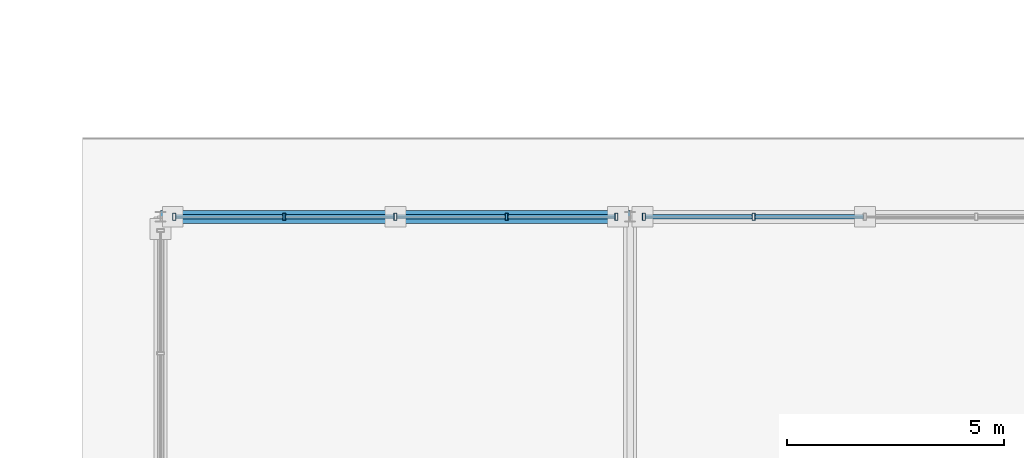
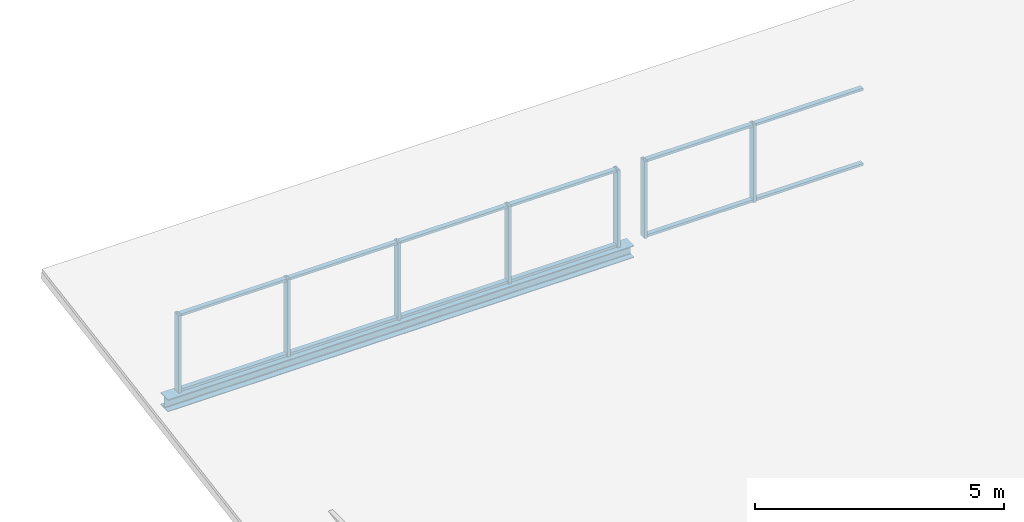
# One storey, part 88 of 117: 19 members, 1 beam, 2 elements without a shape of their own.
"""IFC4 building model written with IfcOpenShell, lengths in metres."""

from ifc_helpers import new_model, si_unit, direction, frame, origin, origin_2d, place, context, subcontext, project, spatial, hollow_rectangle, i_section, extrude, material, material_profile, profile_set, type_object, element, aggregate, save


model = new_model("IFC4")

# Units and contexts
model_context = context("Model", 3, precision=1e-05, world=origin(), true_north=direction((0.0, 1.0)))
body_context = subcontext(model_context, "Body", "Model", "MODEL_VIEW")
ifc_project = project(units=[si_unit("LENGTHUNIT", "METRE"), si_unit("AREAUNIT", "SQUARE_METRE"), si_unit("VOLUMEUNIT", "CUBIC_METRE"), si_unit("PLANEANGLEUNIT", "RADIAN"), si_unit("MASSUNIT", "GRAM", prefix="KILO")], contexts=[model_context])

# Site, building, storey
site_placement = place(None, origin())
site = spatial("IfcSite", under=ifc_project, at=site_placement, CompositionType="ELEMENT")
building_placement = place(site_placement, origin())
building = spatial("IfcBuilding", under=site, at=building_placement, Name="Merenkruunu Market Hall", CompositionType="ELEMENT")
storey_placement = place(building_placement, frame((0.0, 0.0, 10.199951171875)))
storey = spatial("IfcBuildingStorey", under=building, at=storey_placement, Name="L02", CompositionType="ELEMENT", Elevation=10.199951171875)

# Curtain wall, members
ifc_material_1 = material(Name="Powder-coated aluminium", Category="aluminium")
curtain_wall_type = type_object("IfcCurtainWallType", Name="Clerestory Curtain Band CL01", PredefinedType="USERDEFINED", material=ifc_material_1)
curtain_wall_1_placement = place(storey_placement, origin())
curtain_wall_1 = element("IfcCurtainWall", 1, at=curtain_wall_1_placement, inside=storey, type_object=curtain_wall_type, Name="CW-L02-CWM04-228", ObjectType="CLERESTORY_BAND", PredefinedType="USERDEFINED")
ifc_material_profile_1 = material_profile(ifc_material_1, hollow_rectangle(XDim=0.070068359375, YDim=0.169921875, WallThickness=0.0048828125, at=origin_2d()), Name="ALU 70x170x5")
ifc_profile_set_1 = profile_set([ifc_material_profile_1], Name="Powder-coated aluminium")
member_type_1 = type_object("IfcMemberType", Name="Curtain Wall Mullion CWM04", PredefinedType="MULLION", material=ifc_profile_set_1)
member_1_placement = place(storey_placement, frame((149.114990234375, 63.60009765625, 0.02001953125), z_axis=(0.0, 0.0, 1.0), x_axis=(1.0, 0.0, 0.0)))
member_1 = element("IfcMember", 2, at=member_1_placement, type_object=member_type_1, Name="CL01 mullion 1", PredefinedType="MULLION", context=body_context, shape_type="SweptSolid", body=[
    extrude(hollow_rectangle(XDim=0.070068359375, YDim=0.169921875, WallThickness=0.0048828125, at=origin_2d()), origin(), (0.0, 0.0, 1.0), 1.900146484375),
])
member_2_placement = place(storey_placement, frame((151.639892578125, 63.60009765625, 0.02001953125), z_axis=(0.0, 0.0, 1.0), x_axis=(1.0, 0.0, 0.0)))
member_2 = element("IfcMember", 3, at=member_2_placement, type_object=member_type_1, Name="CL01 mullion 2", PredefinedType="MULLION", context=body_context, shape_type="SweptSolid", body=[
    extrude(hollow_rectangle(XDim=0.070068359375, YDim=0.169921875, WallThickness=0.0048828125, at=origin_2d()), origin(), (0.0, 0.0, 1.0), 1.900146484375),
])
member_3_placement = place(storey_placement, frame((154.199951171875, 63.60009765625, 0.02001953125), z_axis=(0.0, 0.0, 1.0), x_axis=(1.0, 0.0, 0.0)))
member_3 = element("IfcMember", 4, at=member_3_placement, type_object=member_type_1, Name="CL01 mullion 3", PredefinedType="MULLION", context=body_context, shape_type="SweptSolid", body=[
    extrude(hollow_rectangle(XDim=0.070068359375, YDim=0.169921875, WallThickness=0.0048828125, at=origin_2d()), origin(), (0.0, 0.0, 1.0), 1.900146484375),
])
member_4_placement = place(storey_placement, frame((156.760009765625, 63.60009765625, 0.02001953125), z_axis=(0.0, 0.0, 1.0), x_axis=(1.0, 0.0, 0.0)))
member_4 = element("IfcMember", 5, at=member_4_placement, type_object=member_type_1, Name="CL01 mullion 4", PredefinedType="MULLION", context=body_context, shape_type="SweptSolid", body=[
    extrude(hollow_rectangle(XDim=0.070068359375, YDim=0.169921875, WallThickness=0.0048828125, at=origin_2d()), origin(), (0.0, 0.0, 1.0), 1.900146484375),
])
member_5_placement = place(storey_placement, frame((159.284912109375, 63.60009765625, 0.02001953125), z_axis=(0.0, 0.0, 1.0), x_axis=(1.0, 0.0, 0.0)))
member_5 = element("IfcMember", 6, at=member_5_placement, type_object=member_type_1, Name="CL01 mullion 5", PredefinedType="MULLION", context=body_context, shape_type="SweptSolid", body=[
    extrude(hollow_rectangle(XDim=0.070068359375, YDim=0.169921875, WallThickness=0.0048828125, at=origin_2d()), origin(), (0.0, 0.0, 1.0), 1.900146484375),
])

curtain_wall_2_placement = place(storey_placement, origin())
curtain_wall_2 = element("IfcCurtainWall", 7, at=curtain_wall_2_placement, inside=storey, type_object=curtain_wall_type, Name="CW-L02-CWM04-229", ObjectType="CLERESTORY_BAND", PredefinedType="USERDEFINED")
member_6_placement = place(storey_placement, frame((159.9150390625, 63.60009765625, 0.02001953125), z_axis=(0.0, 0.0, 1.0), x_axis=(1.0, 0.0, 0.0)))
member_6 = element("IfcMember", 8, at=member_6_placement, type_object=member_type_1, Name="CL01 mullion 1", PredefinedType="MULLION", context=body_context, shape_type="SweptSolid", body=[
    extrude(hollow_rectangle(XDim=0.070068359375, YDim=0.169921875, WallThickness=0.0048828125, at=origin_2d()), origin(), (0.0, 0.0, 1.0), 1.900146484375),
])
member_7_placement = place(storey_placement, frame((162.43994140625, 63.60009765625, 0.02001953125), z_axis=(0.0, 0.0, 1.0), x_axis=(1.0, 0.0, 0.0)))
member_7 = element("IfcMember", 9, at=member_7_placement, type_object=member_type_1, Name="CL01 mullion 2", PredefinedType="MULLION", context=body_context, shape_type="SweptSolid", body=[
    extrude(hollow_rectangle(XDim=0.070068359375, YDim=0.169921875, WallThickness=0.0048828125, at=origin_2d()), origin(), (0.0, 0.0, 1.0), 1.900146484375),
])

# Member
ifc_material_profile_2 = material_profile(ifc_material_1, hollow_rectangle(XDim=0.06005859375, YDim=0.110107421875, WallThickness=0.00390625, at=origin_2d()), Name="ALU 60x110x4")
ifc_profile_set_2 = profile_set([ifc_material_profile_2], Name="Powder-coated aluminium")
member_type_2 = type_object("IfcMemberType", Name="Curtain Wall Transom CWT03", PredefinedType="USERDEFINED", material=ifc_profile_set_2)
member_8_placement = place(storey_placement, frame((149.14990234375, 63.60009765625, 0.050048828125), z_axis=(1.0, 0.0, 0.0), x_axis=(0.0, 0.0, 1.0)))
member_8 = element("IfcMember", 10, at=member_8_placement, type_object=member_type_2, Name="CL01 transom 1.1", ObjectType="TRANSOM", PredefinedType="USERDEFINED", context=body_context, shape_type="SweptSolid", body=[
    extrude(hollow_rectangle(XDim=0.06005859375, YDim=0.110107421875, WallThickness=0.00390625, at=origin_2d()), origin(), (0.0, 0.0, 1.0), 2.455078125),
])

member_9_placement = place(storey_placement, frame((149.14990234375, 63.60009765625, 1.89013671875), z_axis=(1.0, 0.0, 0.0), x_axis=(0.0, 0.0, 1.0)))
member_9 = element("IfcMember", 11, at=member_9_placement, type_object=member_type_2, Name="CL01 transom 1.2", ObjectType="TRANSOM", PredefinedType="USERDEFINED", context=body_context, shape_type="SweptSolid", body=[
    extrude(hollow_rectangle(XDim=0.06005859375, YDim=0.110107421875, WallThickness=0.00390625, at=origin_2d()), origin(), (0.0, 0.0, 1.0), 2.455078125),
])

member_10_placement = place(storey_placement, frame((151.675048828125, 63.60009765625, 0.050048828125), z_axis=(1.0, 0.0, 0.0), x_axis=(0.0, 0.0, 1.0)))
member_10 = element("IfcMember", 12, at=member_10_placement, type_object=member_type_2, Name="CL01 transom 2.1", ObjectType="TRANSOM", PredefinedType="USERDEFINED", context=body_context, shape_type="SweptSolid", body=[
    extrude(hollow_rectangle(XDim=0.06005859375, YDim=0.110107421875, WallThickness=0.00390625, at=origin_2d()), origin(), (0.0, 0.0, 1.0), 2.489990234375),
])

member_11_placement = place(storey_placement, frame((151.675048828125, 63.60009765625, 1.89013671875), z_axis=(1.0, 0.0, 0.0), x_axis=(0.0, 0.0, 1.0)))
member_11 = element("IfcMember", 13, at=member_11_placement, type_object=member_type_2, Name="CL01 transom 2.2", ObjectType="TRANSOM", PredefinedType="USERDEFINED", context=body_context, shape_type="SweptSolid", body=[
    extrude(hollow_rectangle(XDim=0.06005859375, YDim=0.110107421875, WallThickness=0.00390625, at=origin_2d()), origin(), (0.0, 0.0, 1.0), 2.489990234375),
])

member_12_placement = place(storey_placement, frame((154.235107421875, 63.60009765625, 0.050048828125), z_axis=(1.0, 0.0, 0.0), x_axis=(0.0, 0.0, 1.0)))
member_12 = element("IfcMember", 14, at=member_12_placement, type_object=member_type_2, Name="CL01 transom 3.1", ObjectType="TRANSOM", PredefinedType="USERDEFINED", context=body_context, shape_type="SweptSolid", body=[
    extrude(hollow_rectangle(XDim=0.06005859375, YDim=0.110107421875, WallThickness=0.00390625, at=origin_2d()), origin(), (0.0, 0.0, 1.0), 2.489990234375),
])

member_13_placement = place(storey_placement, frame((154.235107421875, 63.60009765625, 1.89013671875), z_axis=(1.0, 0.0, 0.0), x_axis=(0.0, 0.0, 1.0)))
member_13 = element("IfcMember", 15, at=member_13_placement, type_object=member_type_2, Name="CL01 transom 3.2", ObjectType="TRANSOM", PredefinedType="USERDEFINED", context=body_context, shape_type="SweptSolid", body=[
    extrude(hollow_rectangle(XDim=0.06005859375, YDim=0.110107421875, WallThickness=0.00390625, at=origin_2d()), origin(), (0.0, 0.0, 1.0), 2.489990234375),
])

member_14_placement = place(storey_placement, frame((156.794921875, 63.60009765625, 0.050048828125), z_axis=(1.0, 0.0, 0.0), x_axis=(0.0, 0.0, 1.0)))
member_14 = element("IfcMember", 16, at=member_14_placement, type_object=member_type_2, Name="CL01 transom 4.1", ObjectType="TRANSOM", PredefinedType="USERDEFINED", context=body_context, shape_type="SweptSolid", body=[
    extrude(hollow_rectangle(XDim=0.06005859375, YDim=0.110107421875, WallThickness=0.00390625, at=origin_2d()), origin(), (0.0, 0.0, 1.0), 2.455078125),
])

member_15_placement = place(storey_placement, frame((156.794921875, 63.60009765625, 1.89013671875), z_axis=(1.0, 0.0, 0.0), x_axis=(0.0, 0.0, 1.0)))
member_15 = element("IfcMember", 17, at=member_15_placement, type_object=member_type_2, Name="CL01 transom 4.2", ObjectType="TRANSOM", PredefinedType="USERDEFINED", context=body_context, shape_type="SweptSolid", body=[
    extrude(hollow_rectangle(XDim=0.06005859375, YDim=0.110107421875, WallThickness=0.00390625, at=origin_2d()), origin(), (0.0, 0.0, 1.0), 2.455078125),
])

aggregate(curtain_wall_1, [member_1, member_2, member_3, member_4, member_5, member_8, member_9, member_10, member_11, member_12, member_13, member_14, member_15])

member_16_placement = place(storey_placement, frame((159.949951171875, 63.60009765625, 0.050048828125), z_axis=(1.0, 0.0, 0.0), x_axis=(0.0, 0.0, 1.0)))
member_16 = element("IfcMember", 18, at=member_16_placement, type_object=member_type_2, Name="CL01 transom 1.1", ObjectType="TRANSOM", PredefinedType="USERDEFINED", context=body_context, shape_type="SweptSolid", body=[
    extrude(hollow_rectangle(XDim=0.06005859375, YDim=0.110107421875, WallThickness=0.00390625, at=origin_2d()), origin(), (0.0, 0.0, 1.0), 2.455078125),
])

member_17_placement = place(storey_placement, frame((159.949951171875, 63.60009765625, 1.89013671875), z_axis=(1.0, 0.0, 0.0), x_axis=(0.0, 0.0, 1.0)))
member_17 = element("IfcMember", 19, at=member_17_placement, type_object=member_type_2, Name="CL01 transom 1.2", ObjectType="TRANSOM", PredefinedType="USERDEFINED", context=body_context, shape_type="SweptSolid", body=[
    extrude(hollow_rectangle(XDim=0.06005859375, YDim=0.110107421875, WallThickness=0.00390625, at=origin_2d()), origin(), (0.0, 0.0, 1.0), 2.455078125),
])

member_18_placement = place(storey_placement, frame((162.47509765625, 63.60009765625, 0.050048828125), z_axis=(1.0, 0.0, 0.0), x_axis=(0.0, 0.0, 1.0)))
member_18 = element("IfcMember", 20, at=member_18_placement, type_object=member_type_2, Name="CL01 transom 2.1", ObjectType="TRANSOM", PredefinedType="USERDEFINED", context=body_context, shape_type="SweptSolid", body=[
    extrude(hollow_rectangle(XDim=0.06005859375, YDim=0.110107421875, WallThickness=0.00390625, at=origin_2d()), origin(), (0.0, 0.0, 1.0), 2.489990234375),
])

member_19_placement = place(storey_placement, frame((162.47509765625, 63.60009765625, 1.89013671875), z_axis=(1.0, 0.0, 0.0), x_axis=(0.0, 0.0, 1.0)))
member_19 = element("IfcMember", 21, at=member_19_placement, type_object=member_type_2, Name="CL01 transom 2.2", ObjectType="TRANSOM", PredefinedType="USERDEFINED", context=body_context, shape_type="SweptSolid", body=[
    extrude(hollow_rectangle(XDim=0.06005859375, YDim=0.110107421875, WallThickness=0.00390625, at=origin_2d()), origin(), (0.0, 0.0, 1.0), 2.489990234375),
])

aggregate(curtain_wall_2, [member_6, member_7, member_16, member_17, member_18, member_19])

# Beam
ifc_material_2 = material(Name="Steel S355J2", Category="steel")
ifc_material_profile_3 = material_profile(ifc_material_2, i_section(OverallWidth=0.300048828125, OverallDepth=0.300048828125, WebThickness=0.010986328125, FlangeThickness=0.01904296875, FilletRadius=0.027099609375, at=origin_2d()), Name="HEB 300")
ifc_profile_set_3 = profile_set([ifc_material_profile_3], Name="Steel S355J2")
beam_type = type_object("IfcBeamType", Name="Primary Floor Girder B05", PredefinedType="BEAM", material=ifc_profile_set_3)
beam_placement = place(storey_placement, frame((148.800048828125, 63.60009765625, -0.14990234375), z_axis=(1.0, 0.0, 0.0), x_axis=(0.0, 1.0, 0.0)))
element("IfcBeam", 22, at=beam_placement, inside=storey, type_object=beam_type, Name="BM-L02-B05-1044", PredefinedType="BEAM", context=body_context, shape_type="SweptSolid", body=[
    extrude(i_section(OverallWidth=0.300048828125, OverallDepth=0.300048828125, WebThickness=0.010986328125, FlangeThickness=0.01904296875, FilletRadius=0.027099609375, at=origin_2d()), origin(), (0.0, 0.0, 1.0), 10.800048828125),
])

save(model, "model.ifc")
